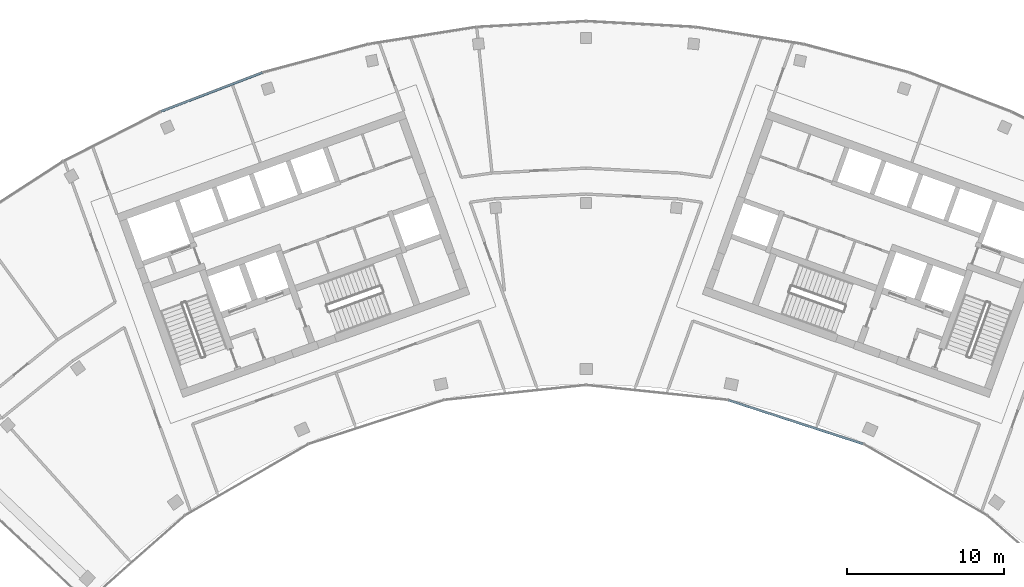
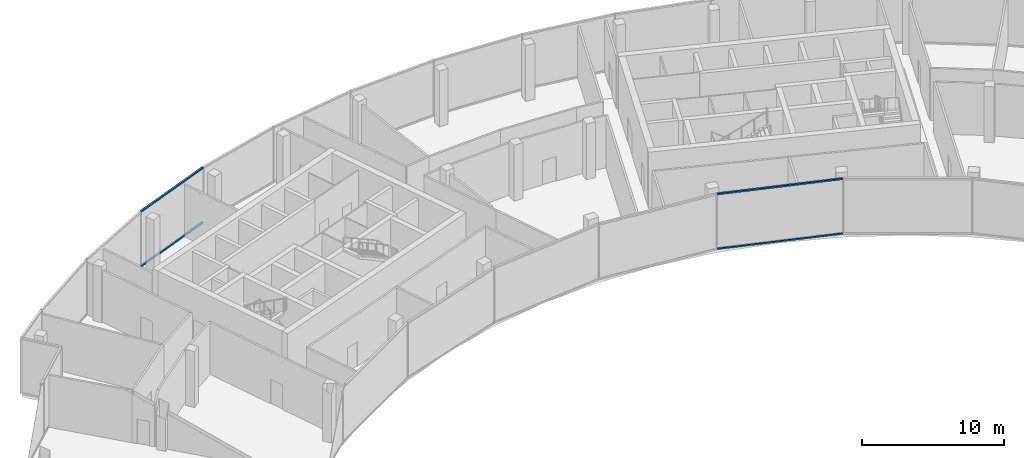
# One storey, part 6 of 17: 4 members, 2 elements without a shape of their own.
"""IFC4 building model written with IfcOpenShell, lengths in metres."""

from ifc_helpers import new_model, si_unit, direction, frame, origin, origin_2d, place, context, subcontext, project, spatial, rectangle, extrude, material, layer, layer_set, material_profile, profile_set, type_object, element, aggregate, save


model = new_model("IFC4")

# Units and contexts
model_context = context("Model", 3, precision=1e-05, world=origin(), true_north=direction((0.0, 1.0)))
body_context = subcontext(model_context, "Body", "Model", "MODEL_VIEW")
ifc_project = project(units=[si_unit("LENGTHUNIT", "METRE"), si_unit("AREAUNIT", "SQUARE_METRE"), si_unit("VOLUMEUNIT", "CUBIC_METRE"), si_unit("PLANEANGLEUNIT", "RADIAN"), si_unit("MASSUNIT", "GRAM", prefix="KILO")], contexts=[model_context])

# Site, building, storey
site_placement = place(None, origin())
site = spatial("IfcSite", under=ifc_project, at=site_placement, CompositionType="ELEMENT")
building_placement = place(site_placement, origin())
building = spatial("IfcBuilding", under=site, at=building_placement, Name="Stone Belt Terrace Tower", CompositionType="ELEMENT")
storey_placement = place(building_placement, frame((0.0, 0.0, 313.39990234375)))
storey = spatial("IfcBuildingStorey", under=building, at=storey_placement, Name="L76", CompositionType="ELEMENT", Elevation=313.39990234375)

# Curtain wall, members
ifc_material = material(Name="Aluminium 6063-T6 anodised frame", Category="aluminium")
ifc_layer = layer(ifc_material, 0.14990234375)
ifc_layer_set = layer_set([ifc_layer], Name="CW-C stick curtain wall, horn ends and notches")
curtain_wall_type = type_object("IfcCurtainWallType", Name="CW-C stick curtain wall, horn ends and notches", PredefinedType="NOTDEFINED", material=ifc_layer_set)
curtain_wall_1_placement = place(storey_placement, origin())
curtain_wall_1 = element("IfcCurtainWall", 1, at=curtain_wall_1_placement, inside=storey, type_object=curtain_wall_type, Name="CW-C concave face L76", PredefinedType="NOTDEFINED")
ifc_material_profile = material_profile(ifc_material, rectangle(XDim=0.14990234375, YDim=0.1201171875, at=origin_2d()), Name="Aluminium 6063-T6 150x120")
ifc_profile_set = profile_set([ifc_material_profile], Name="Aluminium 6063-T6 anodised frame")
member_type = type_object("IfcMemberType", Name="CW-C transom 120 x 150", PredefinedType="USERDEFINED", material=ifc_profile_set)
member_1_placement = place(storey_placement, frame((9.064208984375, 42.464111328125, 0.06005859375), z_axis=(0.951050607887, -0.309035177995, 0.0), x_axis=(0.309035177995, 0.951050607887, 0.0)))
member_1 = element("IfcMember", 2, at=member_1_placement, type_object=member_type, Name="CW-C transom 6.1", ObjectType="TRANSOM", PredefinedType="USERDEFINED", context=body_context, shape_type="SweptSolid", body=[
    extrude(rectangle(XDim=0.14990234375, YDim=0.1201171875, at=origin_2d()), origin(), (0.0, 0.0, 1.0), 9.0029296875),
])
member_2_placement = place(storey_placement, frame((9.064208984375, 42.464111328125, 4.739990234375), z_axis=(0.951050607887, -0.309035177995, 0.0), x_axis=(0.309035177995, 0.951050607887, 0.0)))
member_2 = element("IfcMember", 3, at=member_2_placement, type_object=member_type, Name="CW-C transom 6.2", ObjectType="TRANSOM", PredefinedType="USERDEFINED", context=body_context, shape_type="SweptSolid", body=[
    extrude(rectangle(XDim=0.14990234375, YDim=0.1201171875, at=origin_2d()), origin(), (0.0, 0.0, 1.0), 9.0029296875),
])
aggregate(curtain_wall_1, [member_1, member_2])

curtain_wall_2_placement = place(storey_placement, origin())
curtain_wall_2 = element("IfcCurtainWall", 4, at=curtain_wall_2_placement, inside=storey, type_object=curtain_wall_type, Name="CW-C convex face L76", PredefinedType="NOTDEFINED")
member_3_placement = place(storey_placement, frame((-20.6044921875, 63.304443359375, 0.06005859375), z_axis=(-0.933585210269, -0.358355487146, 0.0), x_axis=(0.358355487146, -0.933585210269, 0.0)))
member_3 = element("IfcMember", 5, at=member_3_placement, type_object=member_type, Name="CW-C transom 11.1", ObjectType="TRANSOM", PredefinedType="USERDEFINED", context=body_context, shape_type="SweptSolid", body=[
    extrude(rectangle(XDim=0.14990234375, YDim=0.1201171875, at=origin_2d()), origin(), (0.0, 0.0, 1.0), 6.900634765625),
])
member_4_placement = place(storey_placement, frame((-20.6044921875, 63.304443359375, 4.739990234375), z_axis=(-0.933585210269, -0.358355487146, 0.0), x_axis=(0.358355487146, -0.933585210269, 0.0)))
member_4 = element("IfcMember", 6, at=member_4_placement, type_object=member_type, Name="CW-C transom 11.2", ObjectType="TRANSOM", PredefinedType="USERDEFINED", context=body_context, shape_type="SweptSolid", body=[
    extrude(rectangle(XDim=0.14990234375, YDim=0.1201171875, at=origin_2d()), origin(), (0.0, 0.0, 1.0), 6.900634765625),
])
aggregate(curtain_wall_2, [member_3, member_4])

save(model, "model.ifc")
